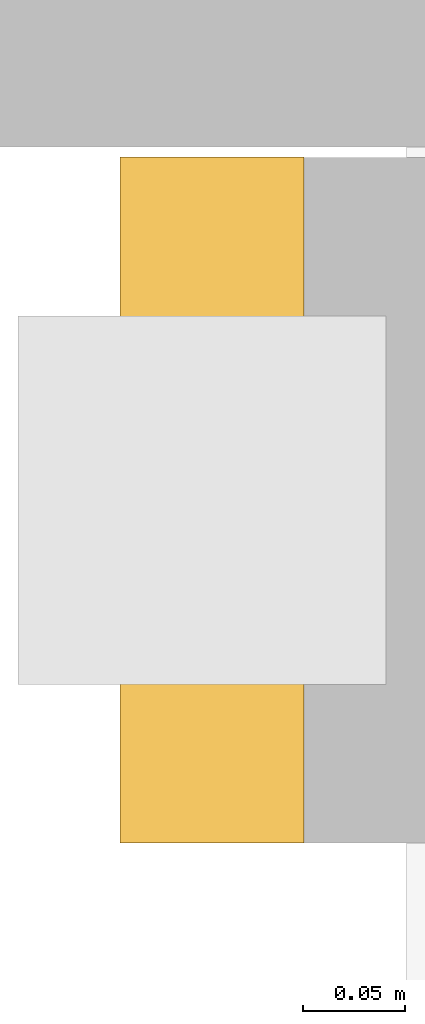
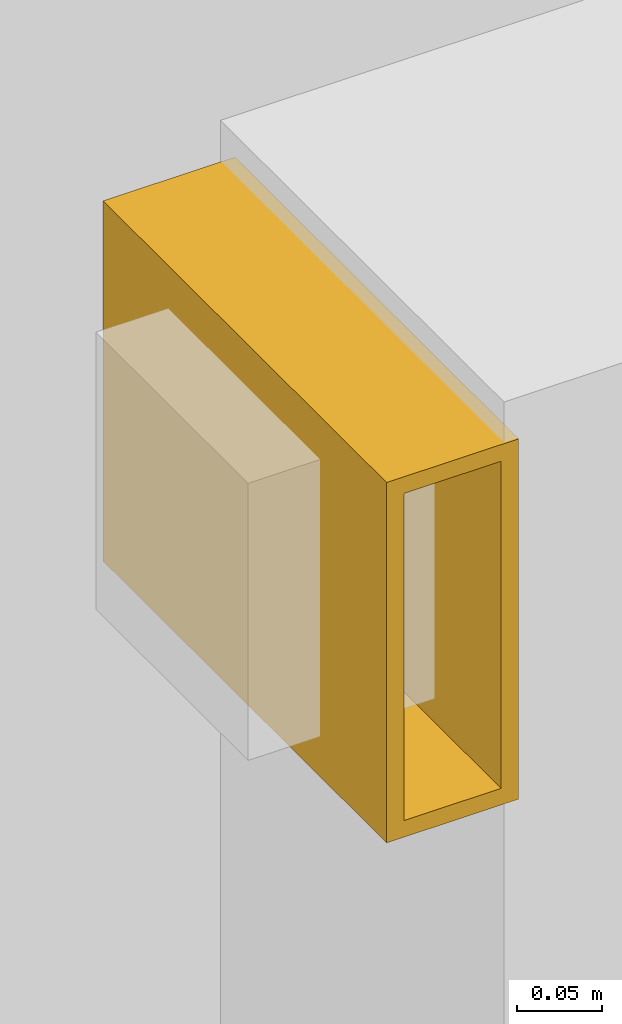
# One storey, part 48 of 48: 1 shading device.
"""IFC4 building model written with IfcOpenShell, lengths in metres."""

from ifc_helpers import new_model, si_unit, derived_unit, direction, frame, origin, origin_2d, place, context, subcontext, project, spatial, hollow_rectangle, extrude, source, transform, mapped, material, material_profile, profile_set, type_object, element, save


model = new_model("IFC4")

# Units and contexts
model_context = context("Model", 3, precision=1e-05, world=origin(), true_north=direction((0.0, 1.0)))
body_context = subcontext(model_context, "Body", "Model", "MODEL_VIEW")
ifc_project = project(units=[si_unit("LENGTHUNIT", "METRE"), si_unit("AREAUNIT", "SQUARE_METRE"), si_unit("VOLUMEUNIT", "CUBIC_METRE"), si_unit("PLANEANGLEUNIT", "RADIAN"), si_unit("MASSUNIT", "GRAM", prefix="KILO"), derived_unit("THERMALTRANSMITTANCEUNIT", [(si_unit("POWERUNIT", "WATT"), 1), (si_unit("LENGTHUNIT", "METRE"), -2), (si_unit("THERMODYNAMICTEMPERATUREUNIT", "KELVIN"), -1)])], contexts=[model_context])

# Site, building, storey
site_placement = place(None, origin())
site = spatial("IfcSite", under=ifc_project, at=site_placement, CompositionType="ELEMENT")
building_placement = place(site_placement, origin())
building = spatial("IfcBuilding", under=site, at=building_placement, Name="Korsvarv Bourse and Concert Hall", CompositionType="ELEMENT")
storey_placement = place(building_placement, frame((0.0, 0.0, 4.800048828125)))
storey = spatial("IfcBuildingStorey", under=building, at=storey_placement, Name="L01", CompositionType="ELEMENT", Elevation=4.800048828125)

# Shading device
ifc_material = material(Name="Glazed extruded architectural terracotta", Category="ceramic")
ifc_material_profile = material_profile(ifc_material, hollow_rectangle(XDim=0.090087890625, YDim=0.260009765625, WallThickness=0.011962890625, at=origin_2d()), Name="TC-BAG 90x260")
ifc_profile_set = profile_set([ifc_material_profile], Name="Glazed extruded architectural terracotta")
shading_device_type = type_object("IfcShadingDeviceType", Name="SHD-BAG-1", PredefinedType="USERDEFINED", material=ifc_profile_set)
shared_shape = source(origin(), body_context, "Body", "SweptSolid", [
    extrude(hollow_rectangle(XDim=0.090087890625, YDim=0.260009765625, WallThickness=0.011962890625, at=origin_2d()), origin(), (0.0, 0.0, 1.0), 0.335205078125),
])
shading_device_placement = place(storey_placement, frame((5.804931640625, 3.159912109375, 4.35986328125), z_axis=(0.0, 1.0, 0.0), x_axis=(-1.0, 0.0, 0.0)))
element("IfcShadingDevice", 1, at=shading_device_placement, inside=storey, type_object=shading_device_type, Name="L01 terracotta baguette sunshade EW-L01-W1-1", ObjectType="BAGUETTE", PredefinedType="USERDEFINED", context=body_context, shape_type="MappedRepresentation", body=[
    mapped(shared_shape, transform((0.0, 0.0, 0.0), scale=1.0)),
])

save(model, "model.ifc")
